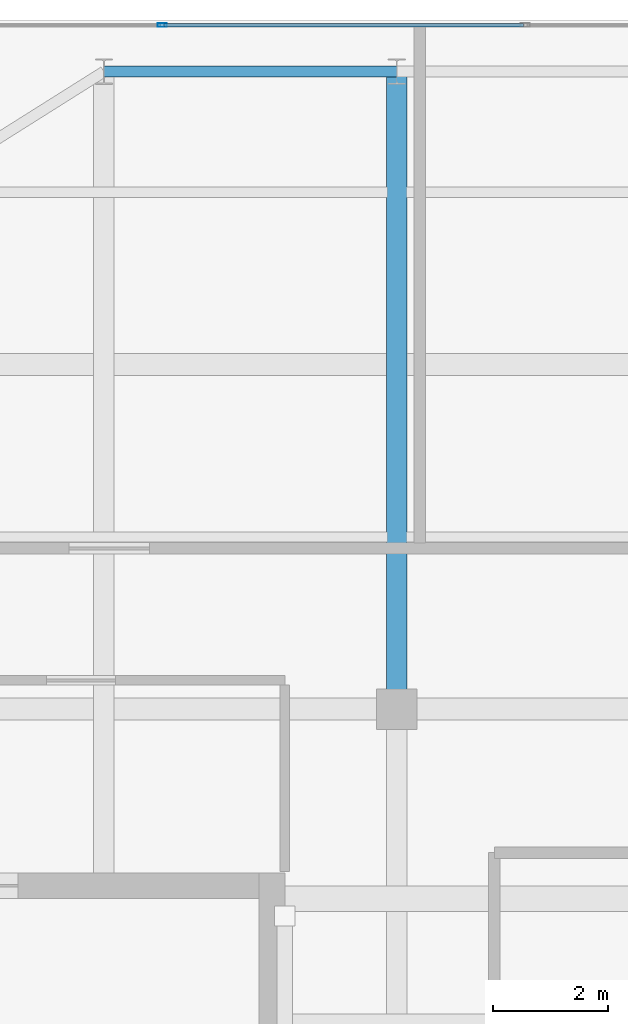
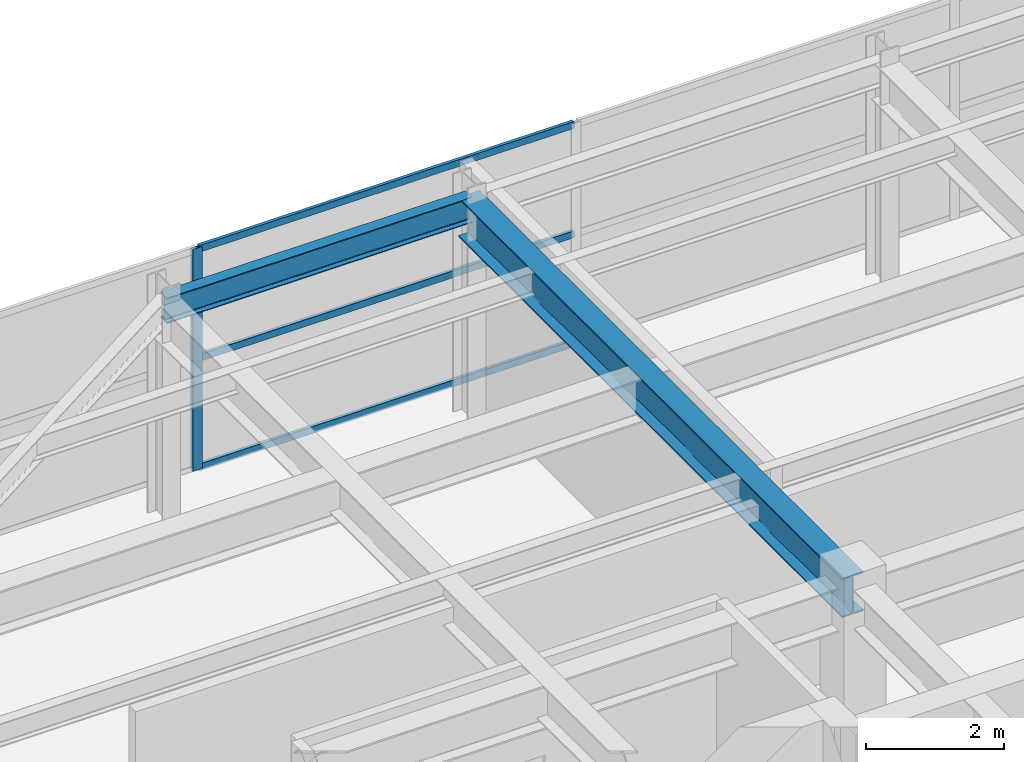
# One storey, part 23 of 32: 4 members, 2 beams, 1 element without a shape of its own.
"""IFC4 building model written with IfcOpenShell, lengths in metres."""

from ifc_helpers import new_model, si_unit, direction, frame, origin, origin_2d, place, context, subcontext, project, spatial, hollow_rectangle, i_section, extrude, source, transform, mapped, material, layer, layer_set, material_profile, profile_set, type_object, element, aggregate, save


model = new_model("IFC4")

# Units and contexts
model_context = context("Model", 3, precision=1e-05, world=origin(), true_north=direction((0.0, 1.0)))
body_context = subcontext(model_context, "Body", "Model", "MODEL_VIEW")
ifc_project = project(units=[si_unit("LENGTHUNIT", "METRE"), si_unit("AREAUNIT", "SQUARE_METRE"), si_unit("VOLUMEUNIT", "CUBIC_METRE"), si_unit("PLANEANGLEUNIT", "RADIAN"), si_unit("MASSUNIT", "GRAM", prefix="KILO")], contexts=[model_context])

# Site, building, storey
site_placement = place(None, origin())
site = spatial("IfcSite", under=ifc_project, at=site_placement, CompositionType="ELEMENT")
building_placement = place(site_placement, origin())
building = spatial("IfcBuilding", under=site, at=building_placement, Name="Khoralis Quay Care Tower", CompositionType="ELEMENT")
storey_placement = place(building_placement, frame((0.0, 0.0, 306.300048828125)))
storey = spatial("IfcBuildingStorey", under=building, at=storey_placement, Name="L80", CompositionType="ELEMENT", Elevation=306.300048828125)

# Beams
ifc_material_1 = material(Name="Steel S355", Category="steel")
ifc_material_profile_1 = material_profile(ifc_material_1, i_section(OverallWidth=0.18994140625, OverallDepth=0.449951171875, WebThickness=0.009521484375, FlangeThickness=0.0146484375, FilletRadius=0.02099609375, at=origin_2d()), Name="Steel S355")
ifc_profile_set_1 = profile_set([ifc_material_profile_1], Name="Steel S355")
beam_type_1 = type_object("IfcBeamType", Name="BM-IPE450", PredefinedType="SPANDREL", material=ifc_profile_set_1)
shared_shape_1 = source(origin(), body_context, "Body", "SweptSolid", [
    extrude(i_section(OverallWidth=0.18994140625, OverallDepth=0.449951171875, WebThickness=0.009521484375, FlangeThickness=0.0146484375, FilletRadius=0.02099609375, at=origin_2d()), origin(), (0.0, 0.0, 1.0), 5.10009765625),
])
beam_1_placement = place(storey_placement, frame((12.0, 41.10009765625, 3.695068359375), z_axis=(1.0, 0.0, 0.0), x_axis=(0.0, 1.0, 0.0)))
element("IfcBeam", 1, at=beam_1_placement, inside=storey, type_object=beam_type_1, Name="BM-TSP-L80-05", PredefinedType="SPANDREL", context=body_context, shape_type="MappedRepresentation", body=[
    mapped(shared_shape_1, transform((0.0, 0.0, 0.0), scale=1.0)),
])
ifc_material_profile_2 = material_profile(ifc_material_1, i_section(OverallWidth=0.35498046875, OverallDepth=0.695068359375, WebThickness=0.015380859375, FlangeThickness=0.02490234375, FilletRadius=0.02001953125, at=origin_2d()), Name="Steel S355")
ifc_profile_set_2 = profile_set([ifc_material_profile_2], Name="Steel S355")
beam_type_2 = type_object("IfcBeamType", Name="BM-W690X217", PredefinedType="BEAM", material=ifc_profile_set_2)
shared_shape_2 = source(origin(), body_context, "Body", "SweptSolid", [
    extrude(i_section(OverallWidth=0.35498046875, OverallDepth=0.695068359375, WebThickness=0.015380859375, FlangeThickness=0.02490234375, FilletRadius=0.02001953125, at=origin_2d()), origin(), (0.0, 0.0, 1.0), 11.10009765625),
])
beam_2_placement = place(storey_placement, frame((17.10009765625, 30.0, 3.572509765625), z_axis=(0.0, 1.0, 0.0), x_axis=(-1.0, 0.0, 0.0)))
element("IfcBeam", 2, at=beam_2_placement, inside=storey, type_object=beam_type_2, Name="BM-TGYN-L80-171", PredefinedType="BEAM", context=body_context, shape_type="MappedRepresentation", body=[
    mapped(shared_shape_2, transform((0.0, 0.0, 0.0), scale=1.0)),
])

# Curtain wall, members
ifc_material_2 = material(Name="Pale anodised aluminium", Category="aluminium")
ifc_layer = layer(ifc_material_2, 0.199951171875)
ifc_layer_set = layer_set([ifc_layer], Name="Pale anodised aluminium")
curtain_wall_type = type_object("IfcCurtainWallType", Name="CW-SYS-LANTERN", PredefinedType="NOTDEFINED", material=ifc_layer_set)
curtain_wall_placement = place(storey_placement, origin())
curtain_wall = element("IfcCurtainWall", 3, at=curtain_wall_placement, inside=storey, type_object=curtain_wall_type, Name="L80 Unitised Curtain Wall CW-LN-L80-11", PredefinedType="NOTDEFINED")
ifc_material_profile_3 = material_profile(ifc_material_2, hollow_rectangle(XDim=0.054931640625, YDim=0.1201171875, WallThickness=0.00390625, at=origin_2d()), Name="Pale anodised aluminium")
ifc_profile_set_3 = profile_set([ifc_material_profile_3], Name="Pale anodised aluminium")
member_type_1 = type_object("IfcMemberType", Name="CW-TRN-120", PredefinedType="USERDEFINED", material=ifc_profile_set_3)
shared_shape_3 = source(origin(), body_context, "Body", "SweptSolid", [
    extrude(hollow_rectangle(XDim=0.054931640625, YDim=0.1201171875, WallThickness=0.00390625, at=origin_2d()), origin(), (0.0, 0.0, 1.0), 6.26416015625),
])
member_1_placement = place(storey_placement, frame((19.30810546875, 41.909912109375, 0.030029296875), z_axis=(-1.0, 0.0, 0.0), x_axis=(0.0, -1.0, 0.0)))
member_1 = element("IfcMember", 4, at=member_1_placement, type_object=member_type_1, Name="CW5 transom 4.1", ObjectType="TRANSOM", PredefinedType="USERDEFINED", context=body_context, shape_type="MappedRepresentation", body=[
    mapped(shared_shape_3, transform((0.0, 0.0, 0.0), scale=1.0)),
])
member_2_placement = place(storey_placement, frame((19.30810546875, 41.909912109375, 1.9599609375), z_axis=(-1.0, 0.0, 0.0), x_axis=(0.0, -1.0, 0.0)))
member_2 = element("IfcMember", 5, at=member_2_placement, type_object=member_type_1, Name="CW5 transom 4.2", ObjectType="TRANSOM", PredefinedType="USERDEFINED", context=body_context, shape_type="MappedRepresentation", body=[
    mapped(shared_shape_3, transform((0.0, 0.0, 0.0), scale=1.0)),
])
member_3_placement = place(storey_placement, frame((19.30810546875, 41.909912109375, 3.889892578125), z_axis=(-1.0, 0.0, 0.0), x_axis=(0.0, -1.0, 0.0)))
member_3 = element("IfcMember", 6, at=member_3_placement, type_object=member_type_1, Name="CW5 transom 4.3", ObjectType="TRANSOM", PredefinedType="USERDEFINED", context=body_context, shape_type="MappedRepresentation", body=[
    mapped(shared_shape_3, transform((0.0, 0.0, 0.0), scale=1.0)),
])
ifc_material_profile_4 = material_profile(ifc_material_2, hollow_rectangle(XDim=0.06005859375, YDim=0.159912109375, WallThickness=0.00390625, at=origin_2d()), Name="Pale anodised aluminium")
ifc_profile_set_4 = profile_set([ifc_material_profile_4], Name="Pale anodised aluminium")
member_type_2 = type_object("IfcMemberType", Name="CW-MUL-160", PredefinedType="MULLION", material=ifc_profile_set_4)
shared_shape_4 = source(origin(), body_context, "Body", "SweptSolid", [
    extrude(hollow_rectangle(XDim=0.06005859375, YDim=0.159912109375, WallThickness=0.00390625, at=origin_2d()), origin(), (0.0, 0.0, 1.0), 3.919921875),
])
member_4_placement = place(storey_placement, frame((13.013916015625, 41.909912109375, 0.0), z_axis=(0.0, 0.0, 1.0), x_axis=(0.0, -1.0, 0.0)))
member_4 = element("IfcMember", 7, at=member_4_placement, type_object=member_type_2, Name="CW5 mullion 5", PredefinedType="MULLION", context=body_context, shape_type="MappedRepresentation", body=[
    mapped(shared_shape_4, transform((0.0, 0.0, 0.0), scale=1.0)),
])
aggregate(curtain_wall, [member_4, member_1, member_2, member_3])

save(model, "model.ifc")
